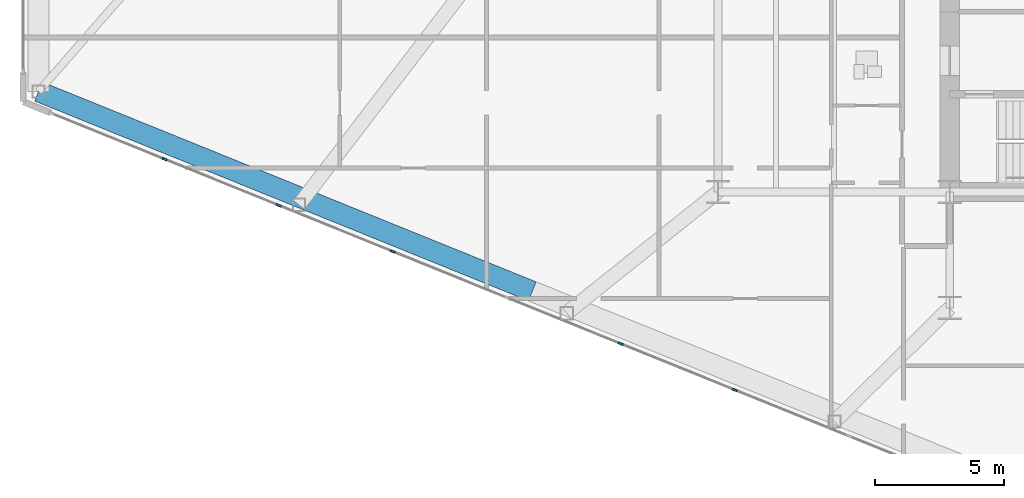
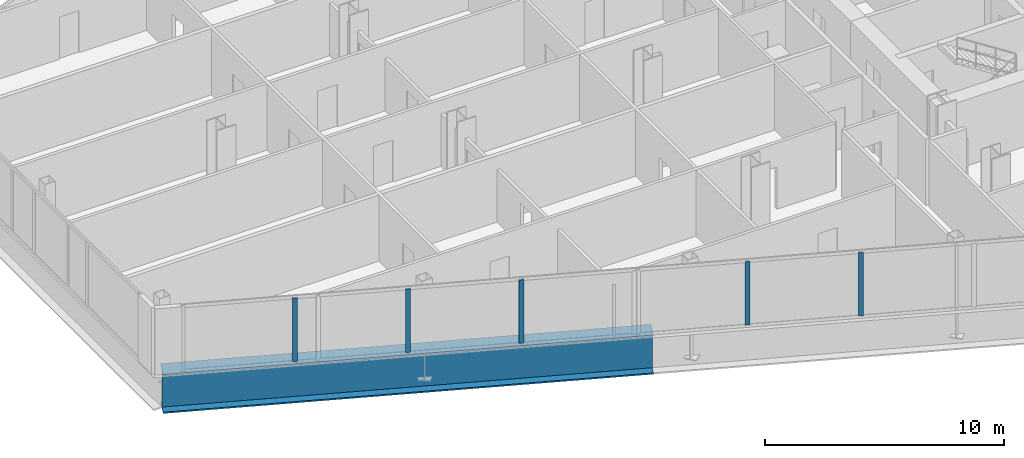
# One storey, part 3 of 26: 5 members, 1 beam, 1 element without a shape of its own.
"""IFC4 building model written with IfcOpenShell, lengths in metres."""

from ifc_helpers import new_model, si_unit, direction, frame, origin, origin_2d, place, context, subcontext, project, spatial, rectangle, i_section, extrude, source, transform, mapped, material, layer, layer_set, material_profile, profile_set, type_object, type_shapes, element, aggregate, save


model = new_model("IFC4")

# Units and contexts
model_context = context("Model", 3, precision=1e-05, world=origin(), true_north=direction((0.0, 1.0)))
body_context = subcontext(model_context, "Body", "Model", "MODEL_VIEW")
ifc_project = project(units=[si_unit("LENGTHUNIT", "METRE"), si_unit("AREAUNIT", "SQUARE_METRE"), si_unit("VOLUMEUNIT", "CUBIC_METRE"), si_unit("PLANEANGLEUNIT", "RADIAN"), si_unit("MASSUNIT", "GRAM", prefix="KILO")], contexts=[model_context])

# Site, building, storey
site_placement = place(None, origin())
site = spatial("IfcSite", under=ifc_project, at=site_placement, CompositionType="ELEMENT")
building_placement = place(site_placement, origin())
building = spatial("IfcBuilding", under=site, at=building_placement, Name="Seokmaru Belvedere", CompositionType="ELEMENT")
storey_placement = place(building_placement, frame((0.0, 0.0, 18.89990234375)))
storey = spatial("IfcBuildingStorey", under=building, at=storey_placement, Name="L04", CompositionType="ELEMENT", Elevation=18.89990234375)

# Beam
ifc_material_1 = material(Name="Steel HSA650 (650 MPa)", Category="steel")
ifc_material_profile_1 = material_profile(ifc_material_1, i_section(OverallWidth=0.800048828125, OverallDepth=2.0, WebThickness=0.0400390625, FlangeThickness=0.070068359375, at=origin_2d()), Name="BH-2000x800x40x70")
ifc_profile_set_1 = profile_set([ifc_material_profile_1], Name="Steel HSA650 (650 MPa)")
beam_type = type_object("IfcBeamType", Name="Sky-Gate Transfer Truss Chord Girder BH-2000", PredefinedType="BEAM", material=ifc_profile_set_1)
shared_shape_1 = source(origin(), body_context, "Body", "SweptSolid", [
    extrude(i_section(OverallWidth=0.800048828125, OverallDepth=2.0, WebThickness=0.0400390625, FlangeThickness=0.070068359375, at=origin_2d()), origin(), (0.0, 0.0, 1.0), 20.6962890625),
])
type_shapes(beam_type, [shared_shape_1])
beam_placement = place(storey_placement, frame((-52.715576171875, -17.360595703125, -1.219970703125), z_axis=(-0.92695003666, 0.37518479385, 0.0), x_axis=(-0.37518479385, -0.92695003666, 0.0)))
element("IfcBeam", 1, at=beam_placement, inside=storey, type_object=beam_type, Name="L04 W Podium Flank Transfer Girder S-B", PredefinedType="BEAM", context=body_context, shape_type="MappedRepresentation", body=[
    mapped(shared_shape_1, transform((0.0, 0.0, 0.0), scale=1.0)),
])

# Curtain wall, members
ifc_material_2 = material(Name="Bronze Triple Insulating Glass", Category="glass")
ifc_layer = layer(ifc_material_2, 0.2099609375)
ifc_layer_set = layer_set([ifc_layer], Name="Bronze Triple Insulating Glass")
curtain_wall_type = type_object("IfcCurtainWallType", Name="Low-Rise Faceted Crystal Curtain Wall System CW-2", PredefinedType="NOTDEFINED", material=ifc_layer_set)
curtain_wall_placement = place(storey_placement, origin())
curtain_wall = element("IfcCurtainWall", 2, at=curtain_wall_placement, inside=storey, type_object=curtain_wall_type, Name="L04 Curtain Wall WF5", PredefinedType="NOTDEFINED")
ifc_material_3 = material(Name="Anodised Bronze Aluminium", Category="aluminium")
ifc_material_profile_2 = material_profile(ifc_material_3, rectangle(XDim=0.074951171875, YDim=0.2099609375, at=origin_2d()), Name="CW-M-75x210")
ifc_profile_set_2 = profile_set([ifc_material_profile_2], Name="Anodised Bronze Aluminium")
member_type = type_object("IfcMemberType", Name="Bronze Unitised Mullion 75x210", PredefinedType="MULLION", material=ifc_profile_set_2)
shared_shape_2 = source(origin(), body_context, "Body", "SweptSolid", [
    extrude(rectangle(XDim=0.074951171875, YDim=0.2099609375, at=origin_2d()), origin(), (0.0, 0.0, 1.0), 3.239990234375),
])
type_shapes(member_type, [shared_shape_2])
member_1_placement = place(storey_placement, frame((-67.004150390625, -12.224609375, 0.070068359375), z_axis=(0.0, 0.0, 1.0), x_axis=(0.375192321888, 0.926946989637, 0.0)))
member_1 = element("IfcMember", 3, at=member_1_placement, type_object=member_type, Name="CW:L04:WF5 Mullion 2", PredefinedType="MULLION", context=body_context, shape_type="MappedRepresentation", body=[
    mapped(shared_shape_2, transform((0.0, 0.0, 0.0), scale=1.0)),
])
member_2_placement = place(storey_placement, frame((-62.574462890625, -14.017578125, 0.070068359375), z_axis=(0.0, 0.0, 1.0), x_axis=(0.375192321888, 0.926946989637, 0.0)))
member_2 = element("IfcMember", 4, at=member_2_placement, type_object=member_type, Name="CW:L04:WF5 Mullion 3", PredefinedType="MULLION", context=body_context, shape_type="MappedRepresentation", body=[
    mapped(shared_shape_2, transform((0.0, 0.0, 0.0), scale=1.0)),
])
member_3_placement = place(storey_placement, frame((-58.144775390625, -15.810546875, 0.070068359375), z_axis=(0.0, 0.0, 1.0), x_axis=(0.375192321888, 0.926946989637, 0.0)))
member_3 = element("IfcMember", 5, at=member_3_placement, type_object=member_type, Name="CW:L04:WF5 Mullion 4", PredefinedType="MULLION", context=body_context, shape_type="MappedRepresentation", body=[
    mapped(shared_shape_2, transform((0.0, 0.0, 0.0), scale=1.0)),
])
member_4_placement = place(storey_placement, frame((-49.28515625, -19.396484375, 0.070068359375), z_axis=(0.0, 0.0, 1.0), x_axis=(0.375192321888, 0.926946989637, 0.0)))
member_4 = element("IfcMember", 6, at=member_4_placement, type_object=member_type, Name="CW:L04:WF5 Mullion 6", PredefinedType="MULLION", context=body_context, shape_type="MappedRepresentation", body=[
    mapped(shared_shape_2, transform((0.0, 0.0, 0.0), scale=1.0)),
])
member_5_placement = place(storey_placement, frame((-44.855224609375, -21.189453125, 0.070068359375), z_axis=(0.0, 0.0, 1.0), x_axis=(0.375192321888, 0.926946989637, 0.0)))
member_5 = element("IfcMember", 7, at=member_5_placement, type_object=member_type, Name="CW:L04:WF5 Mullion 7", PredefinedType="MULLION", context=body_context, shape_type="MappedRepresentation", body=[
    mapped(shared_shape_2, transform((0.0, 0.0, 0.0), scale=1.0)),
])
aggregate(curtain_wall, [member_1, member_2, member_3, member_4, member_5])

save(model, "model.ifc")
